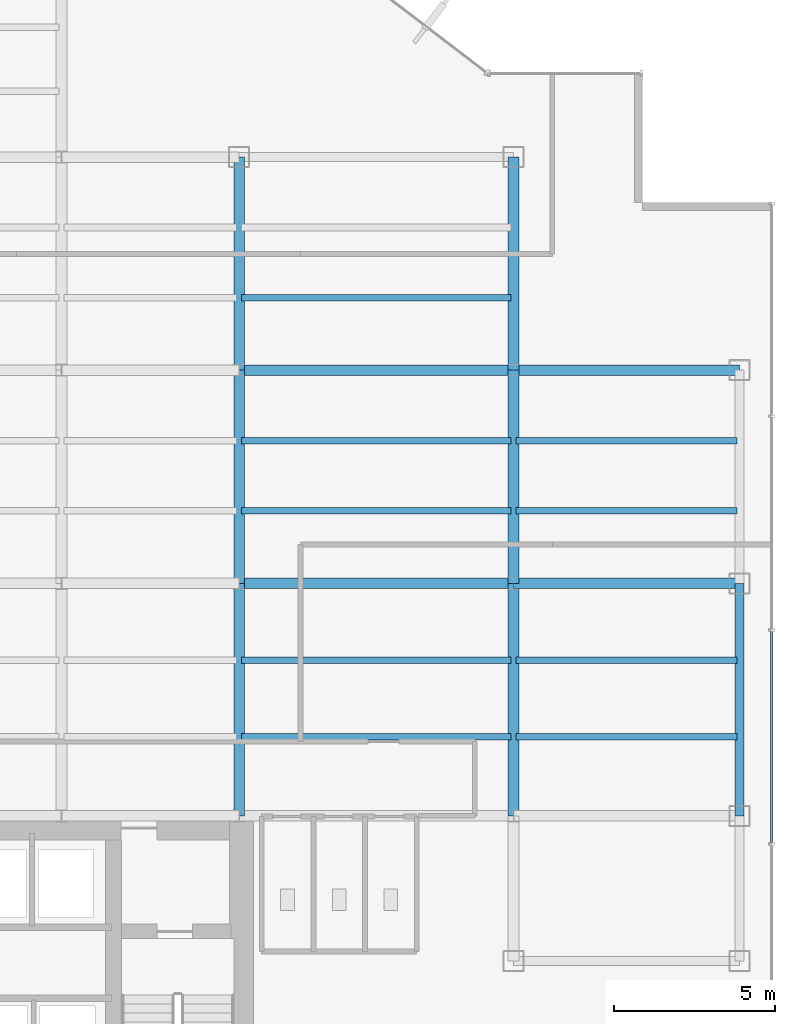
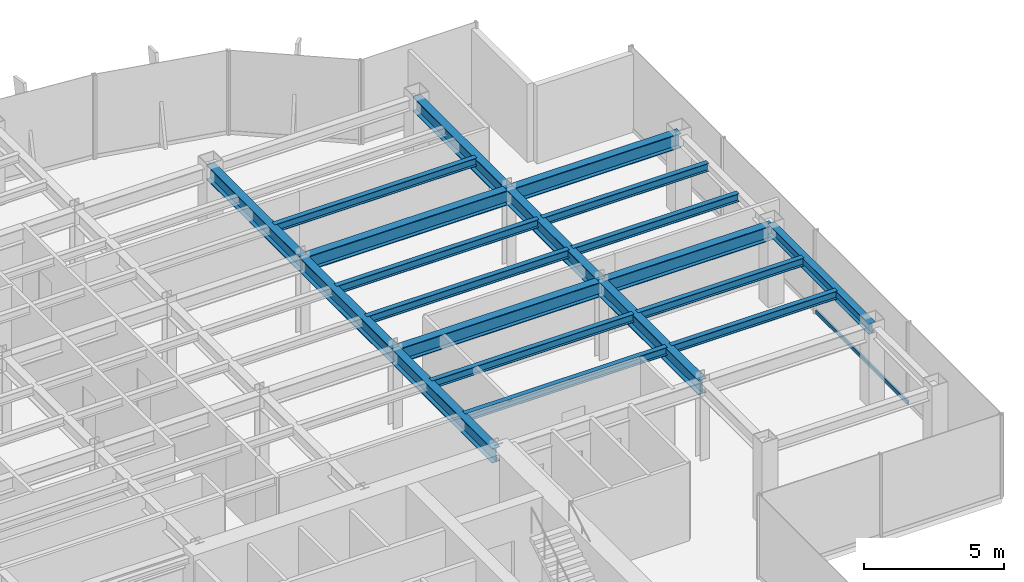
# One storey, part 12 of 25: 20 beams, 1 member, 1 element without a shape of its own.
"""IFC4 building model written with IfcOpenShell, lengths in metres."""

import ifcopenshell
import ifcopenshell.guid

model = None  # the IFC model being written
_history = None  # IfcOwnerHistory: only IFC2X3 demands one
_inside = {}  # id of a spatial element -> (the spatial element, [elements in it])
_under = {}  # id of a project, library or spatial element -> (it, [spatial elements below it])
_declared = {}  # id of a project -> (the project, [libraries it declares])
_typed = {}  # id of a type object -> (the type object, [elements of that type])
_made_of = {}  # id of a material, layer set ... -> (it, [elements and type objects made of it])


def new_model(schema):
    """Start an empty IFC model of exactly this schema.

    Asked for "IFC4X3", IfcOpenShell would pick the latest addendum, in which some entities
    have other attributes; the version numbers below select the first issue.
    IFC2X3 requires an IfcOwnerHistory on every rooted entity: one is made here for all.
    """
    global model, _history
    if schema == "IFC4X3":
        model = ifcopenshell.file(schema_version=(4, 3, 0, 0))
    else:
        model = ifcopenshell.file(schema=schema)
    _inside.clear()
    _under.clear()
    _declared.clear()
    _typed.clear()
    _made_of.clear()
    _history = None
    if model.schema == "IFC2X3":
        org = make("IfcOrganization", Name="unknown")
        user = make(
            "IfcPersonAndOrganization",
            ThePerson=make("IfcPerson", FamilyName="unknown"),
            TheOrganization=org,
        )
        app = make(
            "IfcApplication",
            ApplicationDeveloper=org,
            Version="unknown",
            ApplicationFullName="unknown",
            ApplicationIdentifier="unknown",
        )
        _history = make(
            "IfcOwnerHistory",
            OwningUser=user,
            OwningApplication=app,
            ChangeAction="ADDED",
            CreationDate=0,
        )
    return model


def make(cls, **values):
    """One entity of the class cls with the attributes given. An attribute that is None is left unset."""
    return model.create_entity(
        cls, **{name: value for name, value in values.items() if value is not None}
    )


def rooted(cls, **values):
    """An entity with a GlobalId (a new one), such as an element, a storey or a relation."""
    return make(cls, GlobalId=ifcopenshell.guid.new(), OwnerHistory=_history, **values)


def si_unit(unit_type, name, prefix=None):
    """IfcSIUnit, for example si_unit("LENGTHUNIT", "METRE", prefix="MILLI")."""
    return make("IfcSIUnit", UnitType=unit_type, Prefix=prefix, Name=name)


def derived_unit(unit_type, elements):
    """IfcDerivedUnit: a product of units, each with its exponent."""
    return make(
        "IfcDerivedUnit",
        Elements=[
            make("IfcDerivedUnitElement", Unit=unit, Exponent=power)
            for unit, power in elements
        ],
        UnitType=unit_type,
    )


def assignment(units):
    """IfcUnitAssignment: the units of a project."""
    return None if units is None else make("IfcUnitAssignment", Units=units)


def point(xyz):
    """IfcCartesianPoint."""
    return None if xyz is None else make("IfcCartesianPoint", Coordinates=xyz)


def direction(xyz):
    """IfcDirection."""
    return None if xyz is None else make("IfcDirection", DirectionRatios=xyz)


def frame(location, z_axis=None, x_axis=None):
    """IfcAxis2Placement3D, a coordinate frame: its origin and axes. An axis left out is left unset."""
    return make(
        "IfcAxis2Placement3D",
        Location=point(location),
        Axis=direction(z_axis),
        RefDirection=direction(x_axis),
    )


def frame_2d(location, x_axis=None):
    """IfcAxis2Placement2D, a coordinate frame in the plane: its origin and x axis."""
    return make(
        "IfcAxis2Placement2D", Location=point(location), RefDirection=direction(x_axis)
    )


def origin():
    """The frame at (0, 0, 0) with its axes left unset."""
    return frame((0.0, 0.0, 0.0))


def origin_2d():
    """The frame at (0, 0) in the plane with its x axis left unset."""
    return frame_2d((0.0, 0.0))


def place(relative_to, where):
    """IfcLocalPlacement: puts the frame where relative to a parent placement (None: the world)."""
    return make(
        "IfcLocalPlacement", PlacementRelTo=relative_to, RelativePlacement=where
    )


def context(
    kind, dimensions, precision=None, world=None, true_north=None, identifier=None
):
    """IfcGeometricRepresentationContext, for example the 3D "Model" context."""
    return make(
        "IfcGeometricRepresentationContext",
        ContextIdentifier=identifier,
        ContextType=kind,
        CoordinateSpaceDimension=dimensions,
        Precision=precision,
        WorldCoordinateSystem=world,
        TrueNorth=true_north,
    )


def subcontext(parent, identifier, kind, view, scale=None):
    """IfcGeometricRepresentationSubContext, for example "Body" below "Model"."""
    return make(
        "IfcGeometricRepresentationSubContext",
        ContextIdentifier=identifier,
        ContextType=kind,
        ParentContext=parent,
        TargetScale=scale,
        TargetView=view,
    )


def project(units=None, contexts=None):
    """IfcProject with its units and contexts."""
    return rooted(
        "IfcProject",
        Name="project",
        RepresentationContexts=contexts,
        UnitsInContext=assignment(units),
    )


def spatial(cls, under=None, at=None, **own):
    """A site, building, storey or space (cls), placed at a placement, below another one or the project."""
    s = rooted(cls, ObjectPlacement=at, **own)
    if under is not None:
        _under.setdefault(under.id(), (under, []))[1].append(s)
    return s


def profile(cls, at=None, kind="AREA", **sizes):
    """A parametric profile (cls). Its sizes go by their IFC names, for example OverallWidth=200.0."""
    return make(cls, ProfileType=kind, Position=at, **sizes)


def hollow_rectangle(**sizes):
    """IfcRectangleHollowProfileDef."""
    return profile("IfcRectangleHollowProfileDef", **sizes)


def i_section(**sizes):
    """IfcIShapeProfileDef."""
    return profile("IfcIShapeProfileDef", **sizes)


def extrude(swept, where, along, depth):
    """IfcExtrudedAreaSolid: the profile swept, set in the frame where, extruded along a direction by depth."""
    return make(
        "IfcExtrudedAreaSolid",
        SweptArea=swept,
        Position=where,
        ExtrudedDirection=direction(along),
        Depth=depth,
    )


def shape(context_of_items, identifier, shape_type, items):
    """IfcShapeRepresentation: the items that make up one representation, for example the "Body"."""
    return make(
        "IfcShapeRepresentation",
        ContextOfItems=context_of_items,
        RepresentationIdentifier=identifier,
        RepresentationType=shape_type,
        Items=items,
    )


def source(mapping_origin, context_of_items, identifier, shape_type, items):
    """IfcRepresentationMap: a shape defined once, which mapped items show again and again."""
    return make(
        "IfcRepresentationMap",
        MappingOrigin=mapping_origin,
        MappedRepresentation=shape(context_of_items, identifier, shape_type, items),
    )


def transform(
    local_origin,
    x_axis=None,
    y_axis=None,
    z_axis=None,
    scale=None,
    scale2=None,
    scale3=None,
    uniform=True,
):
    """IfcCartesianTransformationOperator3D, or its non-uniform kind. x_axis, y_axis, z_axis: its Axis1, 2, 3."""
    if uniform:
        return make(
            "IfcCartesianTransformationOperator3D",
            Axis1=direction(x_axis),
            Axis2=direction(y_axis),
            LocalOrigin=point(local_origin),
            Scale=scale,
            Axis3=direction(z_axis),
        )
    return make(
        "IfcCartesianTransformationOperator3DnonUniform",
        Axis1=direction(x_axis),
        Axis2=direction(y_axis),
        LocalOrigin=point(local_origin),
        Scale=scale,
        Axis3=direction(z_axis),
        Scale2=scale2,
        Scale3=scale3,
    )


def mapped(mapping_source, mapping_target):
    """IfcMappedItem: shows the shape of a source again, moved by a transform."""
    return make(
        "IfcMappedItem", MappingSource=mapping_source, MappingTarget=mapping_target
    )


def material(Name=None, Category=None):
    """IfcMaterial."""
    return make("IfcMaterial", Name=Name, Category=Category)


def material_profile(
    of_material, cross_section, Name=None, Category=None, Priority=None
):
    """IfcMaterialProfile: a cross section and its material."""
    return make(
        "IfcMaterialProfile",
        Name=Name,
        Material=of_material,
        Profile=cross_section,
        Priority=Priority,
        Category=Category,
    )


def profile_set(profiles, Name=None, composite=None):
    """IfcMaterialProfileSet."""
    return make(
        "IfcMaterialProfileSet",
        Name=Name,
        MaterialProfiles=profiles,
        CompositeProfile=composite,
    )


def made_of(thing, what):
    """Note that an element or type object is made of a material, layer set ...; save() writes the relation."""
    if what is not None:
        _made_of.setdefault(what.id(), (what, []))[1].append(thing)
    return thing


def type_object(cls, material=None, **own):
    """A type object (cls), such as IfcWallType, which elements share."""
    return made_of(rooted(cls, **own), material)


def element(
    cls,
    number,
    at=None,
    inside=None,
    cuts=None,
    type_object=None,
    material=None,
    context=None,
    identifier="Body",
    shape_type=None,
    held_by="IfcProductDefinitionShape",
    body=None,
    shapes=None,
    **own,
):
    """One element of the class cls, such as IfcWall. Its Tag is "e" and its number.

    at: its placement. inside: the storey or other place that contains it. cuts: it is an
    opening in that element (IfcRelVoidsElement). A single representation is given by context,
    identifier, shape_type and body (its items); several are given by shapes. held_by: the class
    of the entity that holds the representations. save() writes the other relations.
    """
    e = rooted(cls, Tag="e%d" % number, ObjectPlacement=at, **own)
    if body is not None:
        shapes = [shape(context, identifier, shape_type, body)]
    if shapes is not None:
        e.Representation = make(held_by, Representations=shapes)
    if inside is not None:
        _inside.setdefault(inside.id(), (inside, []))[1].append(e)
    if cuts is not None:
        rooted(
            "IfcRelVoidsElement", RelatingBuildingElement=cuts, RelatedOpeningElement=e
        )
    if type_object is not None:
        _typed.setdefault(type_object.id(), (type_object, []))[1].append(e)
    return made_of(e, material)


def aggregate(whole, parts):
    """IfcRelAggregates: a whole, such as a stair, and the parts it consists of."""
    return rooted("IfcRelAggregates", RelatingObject=whole, RelatedObjects=parts)


def save(model, path):
    """Write the relations noted so far, then the file.

    IfcRelAggregates (storeys below a building ...), IfcRelContainedInSpatialStructure (elements
    in a storey), IfcRelDefinesByType, IfcRelAssociatesMaterial and IfcRelDeclares: one each for
    every whole, place, type object, material and project.
    """
    for whole, parts in _under.values():
        aggregate(whole, parts)
    for where, things in _inside.values():
        rooted(
            "IfcRelContainedInSpatialStructure",
            RelatedElements=things,
            RelatingStructure=where,
        )
    for kind, things in _typed.values():
        rooted("IfcRelDefinesByType", RelatedObjects=things, RelatingType=kind)
    for what, things in _made_of.values():
        rooted("IfcRelAssociatesMaterial", RelatedObjects=things, RelatingMaterial=what)
    for by, libraries in _declared.values():
        rooted("IfcRelDeclares", RelatingContext=by, RelatedDefinitions=libraries)
    model.write(path)


model = new_model("IFC4")

# Units and contexts
model_context = context("Model", 3, precision=1e-05, world=origin(), true_north=direction((0.0, 1.0)))
body_context = subcontext(model_context, "Body", "Model", "MODEL_VIEW")
ifc_project = project(units=[si_unit("LENGTHUNIT", "METRE"), si_unit("AREAUNIT", "SQUARE_METRE"), si_unit("VOLUMEUNIT", "CUBIC_METRE"), si_unit("PLANEANGLEUNIT", "RADIAN"), si_unit("MASSUNIT", "GRAM", prefix="KILO"), derived_unit("THERMALTRANSMITTANCEUNIT", [(si_unit("POWERUNIT", "WATT"), 1), (si_unit("LENGTHUNIT", "METRE"), -2), (si_unit("THERMODYNAMICTEMPERATUREUNIT", "KELVIN"), -1)])], contexts=[model_context])

# Site, building, storey
site_placement = place(None, origin())
site = spatial("IfcSite", under=ifc_project, at=site_placement, CompositionType="ELEMENT")
building_placement = place(site_placement, origin())
building = spatial("IfcBuilding", under=site, at=building_placement, Name="Skarnbrae Concourse Arena and Tower", CompositionType="ELEMENT")
storey_placement = place(building_placement, frame((0.0, 0.0, 147.89990234375)))
storey = spatial("IfcBuildingStorey", under=building, at=storey_placement, Name="L37", CompositionType="ELEMENT", Elevation=147.89990234375)

# Beams
ifc_material_1 = material(Name="Steel CSA G40.21 350W", Category="steel")
ifc_material_profile_1 = material_profile(ifc_material_1, i_section(OverallWidth=0.3291015625, OverallDepth=0.635009765625, WebThickness=0.017822265625, FlangeThickness=0.031005859375, at=origin_2d()), Name="W610X241")
ifc_profile_set_1 = profile_set([ifc_material_profile_1], Name="Steel CSA G40.21 350W")
beam_type_1 = type_object("IfcBeamType", Name="BM-GIRD-W610X241", PredefinedType="BEAM", material=ifc_profile_set_1)
shared_shape_1 = source(origin(), body_context, "Body", "SweptSolid", [
    extrude(i_section(OverallWidth=0.3291015625, OverallDepth=0.635009765625, WebThickness=0.017822265625, FlangeThickness=0.031005859375, at=origin_2d()), origin(), (0.0, 0.0, 1.0), 6.60009765625),
])
for number, where, z_axis, x_axis, name in (
    (1, (33.5, 21.199951171875, 3.08251953125), (0.0, 1.0, 0.0), (-1.0, 0.0, 0.0), "L37 Primary N-S girder X33.5-2"),
    (2, (42.0, 21.199951171875, 3.08251953125), (0.0, 1.0, 0.0), (-1.0, 0.0, 0.0), "L37 Primary N-S girder X42.0-3"),
):
    element("IfcBeam", number, at=place(storey_placement, frame(where, z_axis=z_axis, x_axis=x_axis)), inside=storey, type_object=beam_type_1, Name=name, PredefinedType="BEAM", context=body_context, shape_type="MappedRepresentation", body=[
        mapped(shared_shape_1, transform((0.0, 0.0, 0.0))),
    ])
shared_shape_2 = source(origin(), body_context, "Body", "SweptSolid", [
    extrude(i_section(OverallWidth=0.3291015625, OverallDepth=0.635009765625, WebThickness=0.017822265625, FlangeThickness=0.031005859375, at=origin_2d()), origin(), (0.0, 0.0, 1.0), 8.5),
])
for number, where, z_axis, x_axis, name in (
    (3, (33.5, 21.199951171875, 3.08251953125), (1.0, 0.0, 0.0), (0.0, 1.0, 0.0), "L37 Primary E-W girder Y21.2-6"),
    (4, (33.5, 27.800048828125, 3.08251953125), (1.0, 0.0, 0.0), (0.0, 1.0, 0.0), "L37 Primary E-W girder Y27.8-6"),
):
    element("IfcBeam", number, at=place(storey_placement, frame(where, z_axis=z_axis, x_axis=x_axis)), inside=storey, type_object=beam_type_1, Name=name, PredefinedType="BEAM", context=body_context, shape_type="MappedRepresentation", body=[
        mapped(shared_shape_2, transform((0.0, 0.0, 0.0))),
    ])
shared_shape_3 = source(origin(), body_context, "Body", "SweptSolid", [
    extrude(i_section(OverallWidth=0.3291015625, OverallDepth=0.635009765625, WebThickness=0.017822265625, FlangeThickness=0.031005859375, at=origin_2d()), origin(), (0.0, 0.0, 1.0), 7.0),
])
for number, where, z_axis, x_axis, name in (
    (5, (42.0, 21.199951171875, 3.08251953125), (1.0, 0.0, 0.0), (0.0, 1.0, 0.0), "L37 Primary E-W girder Y21.2-7"),
    (6, (42.0, 27.800048828125, 3.08251953125), (1.0, 0.0, 0.0), (0.0, 1.0, 0.0), "L37 Primary E-W girder Y27.8-7"),
):
    element("IfcBeam", number, at=place(storey_placement, frame(where, z_axis=z_axis, x_axis=x_axis)), inside=storey, type_object=beam_type_1, Name=name, PredefinedType="BEAM", context=body_context, shape_type="MappedRepresentation", body=[
        mapped(shared_shape_3, transform((0.0, 0.0, 0.0))),
    ])
ifc_material_profile_2 = material_profile(ifc_material_1, i_section(OverallWidth=0.280029296875, OverallDepth=0.462890625, WebThickness=0.0107421875, FlangeThickness=0.017333984375, at=origin_2d()), Name="W460X113")
ifc_profile_set_2 = profile_set([ifc_material_profile_2], Name="Steel CSA G40.21 350W")
beam_type_2 = type_object("IfcBeamType", Name="BM-SPAN-W460X113", PredefinedType="SPANDREL", material=ifc_profile_set_2)
shared_shape_4 = source(origin(), body_context, "Body", "SweptSolid", [
    extrude(i_section(OverallWidth=0.280029296875, OverallDepth=0.462890625, WebThickness=0.0107421875, FlangeThickness=0.017333984375, at=origin_2d()), origin(), (0.0, 0.0, 1.0), 7.199951171875),
])
beam_placement = place(storey_placement, frame((49.0, 14.0, 3.168701171875), z_axis=(0.0, 1.0, 0.0), x_axis=(-1.0, 0.0, 0.0)))
element("IfcBeam", 7, at=beam_placement, inside=storey, type_object=beam_type_2, Name="L37 Perimeter spandrel X49.0-2", PredefinedType="SPANDREL", context=body_context, shape_type="MappedRepresentation", body=[
    mapped(shared_shape_4, transform((0.0, 0.0, 0.0))),
])
shared_shape_5 = source(origin(), body_context, "Body", "SweptSolid", [
    extrude(i_section(OverallWidth=0.3291015625, OverallDepth=0.635009765625, WebThickness=0.017822265625, FlangeThickness=0.031005859375, at=origin_2d()), origin(), (0.0, 0.0, 1.0), 7.199951171875),
])
for number, where, z_axis, x_axis, name in (
    (8, (33.5, 14.0, 3.08251953125), (0.0, 1.0, 0.0), (-1.0, 0.0, 0.0), "L37 Primary N-S girder X33.5-1"),
    (9, (42.0, 14.0, 3.08251953125), (0.0, 1.0, 0.0), (-1.0, 0.0, 0.0), "L37 Primary N-S girder X42.0-2"),
):
    element("IfcBeam", number, at=place(storey_placement, frame(where, z_axis=z_axis, x_axis=x_axis)), inside=storey, type_object=beam_type_1, Name=name, PredefinedType="BEAM", context=body_context, shape_type="MappedRepresentation", body=[
        mapped(shared_shape_5, transform((0.0, 0.0, 0.0))),
    ])
shared_shape_6 = source(origin(), body_context, "Body", "SweptSolid", [
    extrude(i_section(OverallWidth=0.3291015625, OverallDepth=0.635009765625, WebThickness=0.017822265625, FlangeThickness=0.031005859375, at=origin_2d()), origin(), (0.0, 0.0, 1.0), 6.599853515625),
])
for number, where, z_axis, x_axis, name in (
    (10, (33.5, 27.800048828125, 3.08251953125), (0.0, 1.0, 0.0), (-1.0, 0.0, 0.0), "L37 Primary N-S girder X33.5-3"),
    (11, (42.0, 27.800048828125, 3.08251953125), (0.0, 1.0, 0.0), (-1.0, 0.0, 0.0), "L37 Primary N-S girder X42.0-4"),
):
    element("IfcBeam", number, at=place(storey_placement, frame(where, z_axis=z_axis, x_axis=x_axis)), inside=storey, type_object=beam_type_1, Name=name, PredefinedType="BEAM", context=body_context, shape_type="MappedRepresentation", body=[
        mapped(shared_shape_6, transform((0.0, 0.0, 0.0))),
    ])
ifc_material_profile_3 = material_profile(ifc_material_1, i_section(OverallWidth=0.205078125, OverallDepth=0.35400390625, WebThickness=0.009521484375, FlangeThickness=0.016845703125, at=origin_2d()), Name="W360X79")
ifc_profile_set_3 = profile_set([ifc_material_profile_3], Name="Steel CSA G40.21 350W")
beam_type_3 = type_object("IfcBeamType", Name="BM-JOIST-W360X79", PredefinedType="JOIST", material=ifc_profile_set_3)
shared_shape_7 = source(origin(), body_context, "Body", "SweptSolid", [
    extrude(i_section(OverallWidth=0.205078125, OverallDepth=0.35400390625, WebThickness=0.009521484375, FlangeThickness=0.016845703125, at=origin_2d()), origin(), (0.0, 0.0, 1.0), 8.33984375),
])
for number, where, z_axis, x_axis, name in (
    (12, (33.580078125, 16.447998046875, 3.22314453125), (1.0, 0.0, 0.0), (0.0, 1.0, 0.0), "L37 Secondary floor joist 1.1.6"),
    (13, (33.580078125, 18.823974609375, 3.22314453125), (1.0, 0.0, 0.0), (0.0, 1.0, 0.0), "L37 Secondary floor joist 1.2.6"),
    (14, (33.580078125, 23.444091796875, 3.22314453125), (1.0, 0.0, 0.0), (0.0, 1.0, 0.0), "L37 Secondary floor joist 2.1.6"),
    (15, (33.580078125, 25.6220703125, 3.22314453125), (1.0, 0.0, 0.0), (0.0, 1.0, 0.0), "L37 Secondary floor joist 2.2.6"),
    (16, (33.580078125, 30.0439453125, 3.22314453125), (1.0, 0.0, 0.0), (0.0, 1.0, 0.0), "L37 Secondary floor joist 3.1.5"),
):
    element("IfcBeam", number, at=place(storey_placement, frame(where, z_axis=z_axis, x_axis=x_axis)), inside=storey, type_object=beam_type_3, Name=name, PredefinedType="JOIST", context=body_context, shape_type="MappedRepresentation", body=[
        mapped(shared_shape_7, transform((0.0, 0.0, 0.0))),
    ])
shared_shape_8 = source(origin(), body_context, "Body", "SweptSolid", [
    extrude(i_section(OverallWidth=0.205078125, OverallDepth=0.35400390625, WebThickness=0.009521484375, FlangeThickness=0.016845703125, at=origin_2d()), origin(), (0.0, 0.0, 1.0), 6.83984375),
])
for number, where, z_axis, x_axis, name in (
    (17, (42.080078125, 16.447998046875, 3.22314453125), (1.0, 0.0, 0.0), (0.0, 1.0, 0.0), "L37 Secondary floor joist 1.1.7"),
    (18, (42.080078125, 18.823974609375, 3.22314453125), (1.0, 0.0, 0.0), (0.0, 1.0, 0.0), "L37 Secondary floor joist 1.2.7"),
    (19, (42.080078125, 23.444091796875, 3.22314453125), (1.0, 0.0, 0.0), (0.0, 1.0, 0.0), "L37 Secondary floor joist 2.1.7"),
    (20, (42.080078125, 25.6220703125, 3.22314453125), (1.0, 0.0, 0.0), (0.0, 1.0, 0.0), "L37 Secondary floor joist 2.2.7"),
):
    element("IfcBeam", number, at=place(storey_placement, frame(where, z_axis=z_axis, x_axis=x_axis)), inside=storey, type_object=beam_type_3, Name=name, PredefinedType="JOIST", context=body_context, shape_type="MappedRepresentation", body=[
        mapped(shared_shape_8, transform((0.0, 0.0, 0.0))),
    ])

# Curtain wall, member
ifc_material_2 = material(Name="Bronze anodised aluminium 6063-T6", Category="aluminium")
curtain_wall_type = type_object("IfcCurtainWallType", Name="CW-SYS-04-MIDZONE", PredefinedType="USERDEFINED", material=ifc_material_2)
curtain_wall_placement = place(storey_placement, origin())
curtain_wall = element("IfcCurtainWall", 21, at=curtain_wall_placement, inside=storey, type_object=curtain_wall_type, Name="L37 Unitised curtain wall CW-L37-E04", ObjectType="UNITISED CURTAIN WALL", PredefinedType="USERDEFINED")
ifc_material_profile_4 = material_profile(ifc_material_2, hollow_rectangle(XDim=0.074951171875, YDim=0.159912109375, WallThickness=0.00439453125, at=origin_2d()), Name="ALU-TRAN-75X160")
ifc_profile_set_4 = profile_set([ifc_material_profile_4], Name="Bronze anodised aluminium 6063-T6")
member_type = type_object("IfcMemberType", Name="CWT-CW-04", PredefinedType="USERDEFINED", material=ifc_profile_set_4)
shared_shape_9 = source(origin(), body_context, "Body", "SweptSolid", [
    extrude(hollow_rectangle(XDim=0.074951171875, YDim=0.159912109375, WallThickness=0.00439453125, at=origin_2d()), origin(), (0.0, 0.0, 1.0), 6.5498046875),
])
member_placement = place(storey_placement, frame((50.0, 13.16259765625, 0.080078125), z_axis=(0.0, 1.0, 0.0), x_axis=(-1.0, 0.0, 0.0)))
member = element("IfcMember", 22, at=member_placement, type_object=member_type, Name="CW-L37-E04 Transom 2", ObjectType="TRANSOM", PredefinedType="USERDEFINED", context=body_context, shape_type="MappedRepresentation", body=[
    mapped(shared_shape_9, transform((0.0, 0.0, 0.0))),
])
aggregate(curtain_wall, [member])

save(model, "model.ifc")
